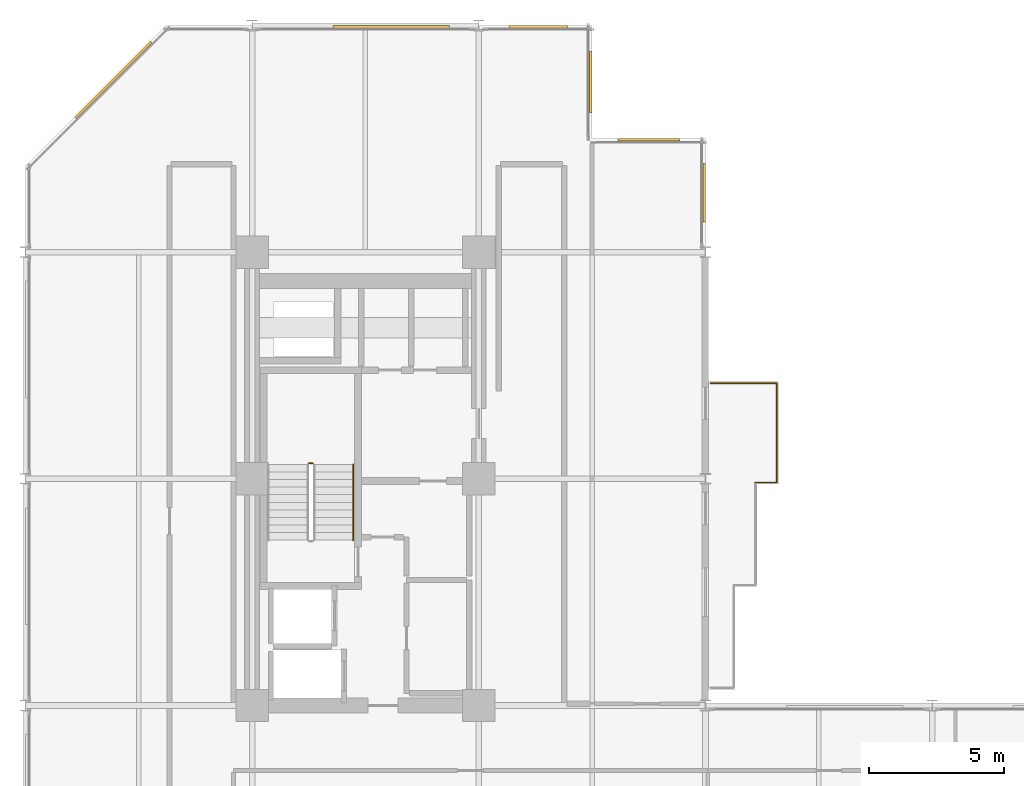
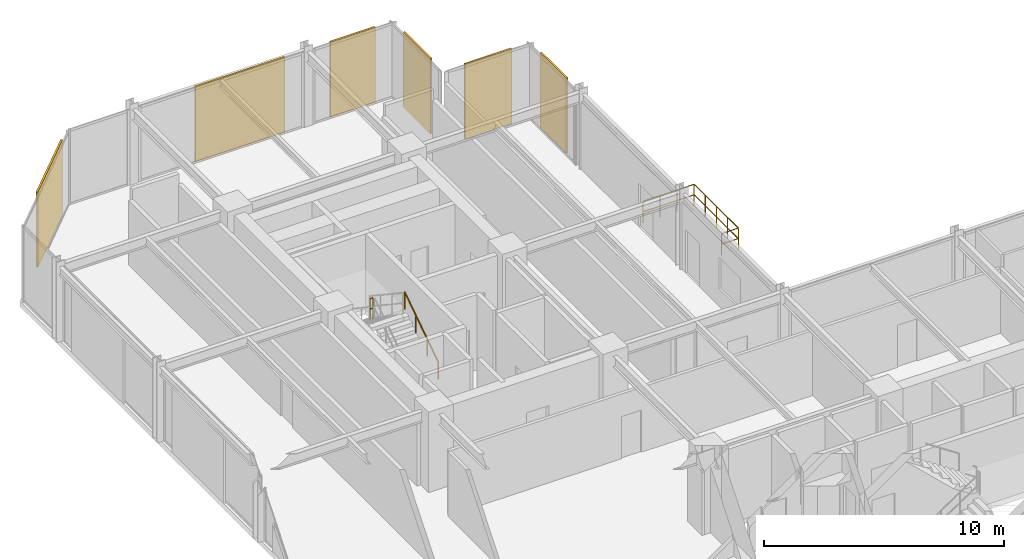
# One storey, part 29 of 29: 6 coverings, 5 railings.
"""IFC4 building model written with IfcOpenShell, lengths in metres."""

from ifc_helpers import new_model, si_unit, direction, frame, origin, origin_2d, place, context, subcontext, project, spatial, rectangle, circle, extrude, material, layer, layer_set, type_object, element, save


model = new_model("IFC4")

# Units and contexts
model_context = context("Model", 3, precision=1e-05, world=origin(), true_north=direction((0.0, 1.0)))
body_context = subcontext(model_context, "Body", "Model", "MODEL_VIEW")
ifc_project = project(units=[si_unit("LENGTHUNIT", "METRE"), si_unit("AREAUNIT", "SQUARE_METRE"), si_unit("VOLUMEUNIT", "CUBIC_METRE"), si_unit("PLANEANGLEUNIT", "RADIAN"), si_unit("MASSUNIT", "GRAM", prefix="KILO")], contexts=[model_context])

# Site, building, storey
site_placement = place(None, origin())
site = spatial("IfcSite", under=ifc_project, at=site_placement, CompositionType="ELEMENT")
building_placement = place(site_placement, origin())
building = spatial("IfcBuilding", under=site, at=building_placement, Name="Nerrivon Quay Data Exchange", CompositionType="ELEMENT")
storey_placement = place(building_placement, frame((0.0, 0.0, 125.39990234375)))
storey = spatial("IfcBuildingStorey", under=building, at=storey_placement, Name="L29", CompositionType="ELEMENT", Elevation=125.39990234375)

# Coverings
ifc_material_1 = material(Name="Architectural terracotta ceramic", Category="masonry")
ifc_layer = layer(ifc_material_1, 0.090087890625)
ifc_layer_set = layer_set([ifc_layer], Name="Architectural terracotta ceramic")
covering_type = type_object("IfcCoveringType", Name="COV-SCR-TERR", PredefinedType="CLADDING", material=ifc_layer_set)
covering_1_placement = place(storey_placement, frame((3.255859375, 48.39208984375, 0.0), z_axis=(0.0, 0.0, 1.0), x_axis=(0.707106781187, 0.707106781187, 0.0)))
element("IfcCovering", 1, at=covering_1_placement, inside=storey, type_object=covering_type, Name="L29 Perforated Terracotta SOLAR SCREEN Cassette", PredefinedType="CLADDING", context=body_context, shape_type="SweptSolid", body=[
    extrude(rectangle(XDim=3.970947265625, YDim=0.090087890625, at=origin_2d()), origin(), (0.0, 0.0, 1.0), 3.824951171875),
])
covering_2_placement = place(storey_placement, frame((13.56005859375, 50.35498046875, 0.0), z_axis=(0.0, 0.0, 1.0), x_axis=(1.0, 0.0, 0.0)))
element("IfcCovering", 2, at=covering_2_placement, inside=storey, type_object=covering_type, Name="L29 Perforated Terracotta SOLAR SCREEN Cassette", PredefinedType="CLADDING", context=body_context, shape_type="SweptSolid", body=[
    extrude(rectangle(XDim=4.320068359375, YDim=0.090087890625, at=origin_2d()), origin(), (0.0, 0.0, 1.0), 3.824951171875),
])
covering_3_placement = place(storey_placement, frame((19.0, 50.35498046875, 0.0), z_axis=(0.0, 0.0, 1.0), x_axis=(1.0, 0.0, 0.0)))
element("IfcCovering", 3, at=covering_3_placement, inside=storey, type_object=covering_type, Name="L29 Perforated Terracotta SOLAR SCREEN Cassette", PredefinedType="CLADDING", context=body_context, shape_type="SweptSolid", body=[
    extrude(rectangle(XDim=2.159912109375, YDim=0.090087890625, at=origin_2d()), origin(), (0.0, 0.0, 1.0), 3.824951171875),
])
for number, where, z_axis, x_axis, name in (
    (4, (20.955078125, 48.300048828125, 0.0), (0.0, 0.0, 1.0), (0.0, -1.0, 0.0), "L29 Perforated Terracotta SOLAR SCREEN Cassette"),
    (5, (23.10009765625, 46.155029296875, 0.0), (0.0, 0.0, 1.0), (1.0, 0.0, 0.0), "L29 Perforated Terracotta SOLAR SCREEN Cassette"),
):
    element("IfcCovering", number, at=place(storey_placement, frame(where, z_axis=z_axis, x_axis=x_axis)), inside=storey, type_object=covering_type, Name=name, PredefinedType="CLADDING", context=body_context, shape_type="SweptSolid", body=[
        extrude(rectangle(XDim=2.26806640625, YDim=0.090087890625, at=origin_2d()), origin(), (0.0, 0.0, 1.0), 3.824951171875),
    ])
covering_4_placement = place(storey_placement, frame((25.155029296875, 44.199951171875, 0.0), z_axis=(0.0, 0.0, 1.0), x_axis=(0.0, -1.0, 0.0)))
element("IfcCovering", 6, at=covering_4_placement, inside=storey, type_object=covering_type, Name="L29 Perforated Terracotta SOLAR SCREEN Cassette", PredefinedType="CLADDING", context=body_context, shape_type="SweptSolid", body=[
    extrude(rectangle(XDim=2.159912109375, YDim=0.090087890625, at=origin_2d()), origin(), (0.0, 0.0, 1.0), 3.824951171875),
])

# Railings
ifc_material_2 = material(Name="Steel Grade C350L0 (350 MPa)", Category="steel")
railing_type_1 = type_object("IfcRailingType", Name="RAIL-GUARD-GR2", PredefinedType="BALUSTRADE", material=ifc_material_2)
railing_1_placement = place(storey_placement, frame((25.3798828125, 37.139892578125, 0.0)))
element("IfcRailing", 7, at=railing_1_placement, inside=storey, type_object=railing_type_1, Name="L29 Verandah Balcony Guard 1.3 1", PredefinedType="BALUSTRADE", context=body_context, shape_type="SweptSolid", body=[
    extrude(circle(Radius=0.02392578125, at=origin_2d()), frame((0.0, 0.0, 1.09619140625), z_axis=(1.0, 0.0, 0.0), x_axis=(0.0, 1.0, 0.0)), (0.0, 0.0, 1.0), 2.460205078125),
    extrude(circle(Radius=0.02392578125, at=origin_2d()), frame((0.0, 0.0, 0.56005859375), z_axis=(1.0, 0.0, 0.0), x_axis=(0.0, 1.0, 0.0)), (0.0, 0.0, 1.0), 2.460205078125),
    extrude(circle(Radius=0.02099609375, at=origin_2d()), origin(), (0.0, 0.0, 1.0), 1.072021484375),
    extrude(circle(Radius=0.02099609375, at=origin_2d()), frame((0.820068359375, 0.0, 0.0)), (0.0, 0.0, 1.0), 1.072021484375),
    extrude(circle(Radius=0.02099609375, at=origin_2d()), frame((1.64013671875, 0.0, 0.0)), (0.0, 0.0, 1.0), 1.072021484375),
    extrude(circle(Radius=0.02099609375, at=origin_2d()), frame((2.460205078125, 0.0, 0.0)), (0.0, 0.0, 1.0), 1.072021484375),
])
railing_2_placement = place(storey_placement, frame((27.840087890625, 37.139892578125, 0.0)))
element("IfcRailing", 8, at=railing_2_placement, inside=storey, type_object=railing_type_1, Name="L29 Verandah Balcony Guard 1.4 1", PredefinedType="BALUSTRADE", context=body_context, shape_type="SweptSolid", body=[
    extrude(circle(Radius=0.02392578125, at=origin_2d()), frame((0.0, 0.0, 1.09619140625), z_axis=(0.0, -1.0, 0.0), x_axis=(1.0, 0.0, 0.0)), (0.0, 0.0, 1.0), 3.679931640625),
    extrude(circle(Radius=0.02392578125, at=origin_2d()), frame((0.0, 0.0, 0.56005859375), z_axis=(0.0, -1.0, 0.0), x_axis=(1.0, 0.0, 0.0)), (0.0, 0.0, 1.0), 3.679931640625),
    extrude(circle(Radius=0.02099609375, at=origin_2d()), origin(), (0.0, 0.0, 1.0), 1.072021484375),
    extrude(circle(Radius=0.02099609375, at=origin_2d()), frame((0.0, -0.919921875, 0.0)), (0.0, 0.0, 1.0), 1.072021484375),
    extrude(circle(Radius=0.02099609375, at=origin_2d()), frame((0.0, -1.83984375, 0.0)), (0.0, 0.0, 1.0), 1.072021484375),
    extrude(circle(Radius=0.02099609375, at=origin_2d()), frame((0.0, -2.760009765625, 0.0)), (0.0, 0.0, 1.0), 1.072021484375),
    extrude(circle(Radius=0.02099609375, at=origin_2d()), frame((0.0, -3.679931640625, 0.0)), (0.0, 0.0, 1.0), 1.072021484375),
])
railing_3_placement = place(storey_placement, frame((27.840087890625, 33.4599609375, 0.0)))
element("IfcRailing", 9, at=railing_3_placement, inside=storey, type_object=railing_type_1, Name="L29 Verandah Balcony Guard 1.5 1", PredefinedType="BALUSTRADE", context=body_context, shape_type="SweptSolid", body=[
    extrude(circle(Radius=0.02392578125, at=origin_2d()), frame((0.0, 0.0, 1.09619140625), z_axis=(-1.0, 0.0, 0.0), x_axis=(0.0, -1.0, 0.0)), (0.0, 0.0, 1.0), 0.800048828125),
    extrude(circle(Radius=0.02392578125, at=origin_2d()), frame((0.0, 0.0, 0.56005859375), z_axis=(-1.0, 0.0, 0.0), x_axis=(0.0, -1.0, 0.0)), (0.0, 0.0, 1.0), 0.800048828125),
    extrude(circle(Radius=0.02099609375, at=origin_2d()), origin(), (0.0, 0.0, 1.0), 1.072021484375),
    extrude(circle(Radius=0.02099609375, at=origin_2d()), frame((-0.800048828125, 0.0, 0.0)), (0.0, 0.0, 1.0), 1.072021484375),
])
railing_type_2 = type_object("IfcRailingType", Name="RAIL-HAND-HR1", PredefinedType="HANDRAIL", material=ifc_material_2)
railing_4_placement = place(storey_placement, frame((12.14990234375, 31.330078125, 0.1865234375)))
element("IfcRailing", 10, at=railing_4_placement, inside=storey, type_object=railing_type_2, Name="L29 ST01 stair handrail 1", PredefinedType="HANDRAIL", context=body_context, shape_type="SweptSolid", body=[
    extrude(circle(Radius=0.02392578125, at=origin_2d()), frame((0.0, 0.0, 0.8759765625), z_axis=(0.0, 0.832463268671, 0.554080234545), x_axis=(-1.0, 0.0, 0.0)), (0.0, 0.0, 1.0), 3.36328125),
    extrude(circle(Radius=0.02099609375, at=origin_2d()), origin(), (0.0, 0.0, 1.0), 0.851806640625),
    extrude(circle(Radius=0.02099609375, at=origin_2d()), frame((0.0, 0.933349609375, 0.62109375)), (0.0, 0.0, 1.0), 0.851806640625),
    extrude(circle(Radius=0.02099609375, at=origin_2d()), frame((0.0, 1.866455078125, 1.242431640625)), (0.0, 0.0, 1.0), 0.851806640625),
    extrude(circle(Radius=0.02099609375, at=origin_2d()), frame((0.0, 2.7998046875, 1.863525390625)), (0.0, 0.0, 1.0), 0.851806640625),
])
railing_type_3 = type_object("IfcRailingType", Name="RAIL-STAIR-GR1", PredefinedType="BALUSTRADE", material=ifc_material_2)
railing_5_placement = place(storey_placement, frame((10.64990234375, 34.179931640625, 2.050048828125)))
element("IfcRailing", 11, at=railing_5_placement, inside=storey, type_object=railing_type_3, Name="L29 ST01 stair guard 2", PredefinedType="BALUSTRADE", context=body_context, shape_type="SweptSolid", body=[
    extrude(circle(Radius=0.02392578125, at=origin_2d()), frame((0.0, 0.0, 1.076171875), z_axis=(-1.0, 0.0, 0.0), x_axis=(0.0, -1.0, 0.0)), (0.0, 0.0, 1.0), 0.14990234375),
    extrude(circle(Radius=0.02392578125, at=origin_2d()), frame((0.0, 0.0, 0.550048828125), z_axis=(-1.0, 0.0, 0.0), x_axis=(0.0, -1.0, 0.0)), (0.0, 0.0, 1.0), 0.14990234375),
    extrude(circle(Radius=0.02099609375, at=origin_2d()), origin(), (0.0, 0.0, 1.0), 1.052001953125),
    extrude(circle(Radius=0.02099609375, at=origin_2d()), frame((-0.14990234375, 0.0, 0.0)), (0.0, 0.0, 1.0), 1.052001953125),
])

save(model, "model.ifc")
